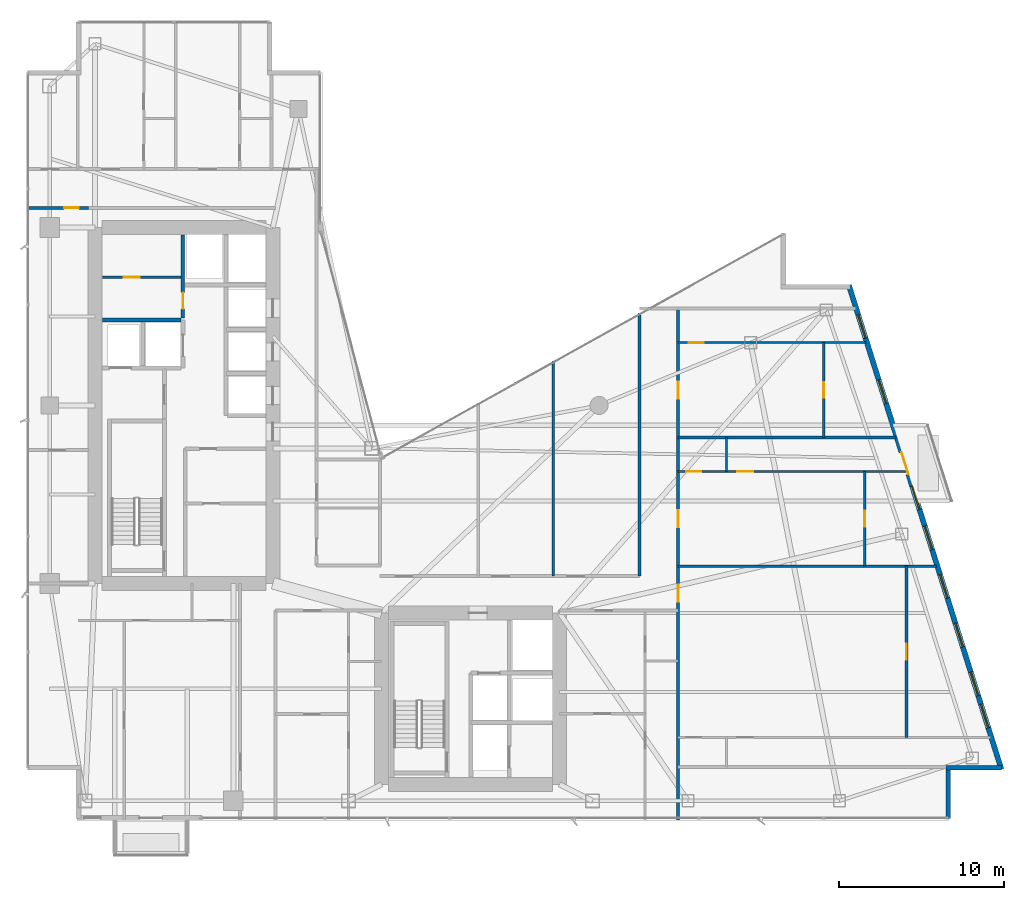
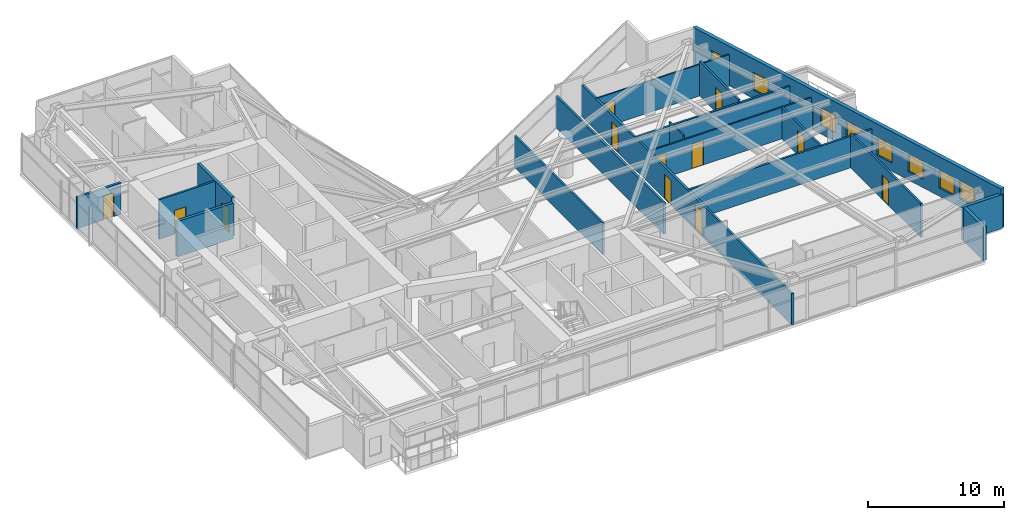
# One storey, part 24 of 28: 18 walls, 13 doors, 8 windows, 21 openings.
"""IFC4 building model written with IfcOpenShell, lengths in metres."""

from ifc_helpers import new_model, si_unit, direction, frame, frame_2d, origin, place, context, subcontext, project, spatial, rectangle, extrude, material, layer, layer_set, type_object, element, fill, save


model = new_model("IFC4")

# Units and contexts
model_context = context("Model", 3, precision=1e-05, world=origin(), true_north=direction((0.0, 1.0)))
body_context = subcontext(model_context, "Body", "Model", "MODEL_VIEW")
ifc_project = project(units=[si_unit("LENGTHUNIT", "METRE"), si_unit("AREAUNIT", "SQUARE_METRE"), si_unit("VOLUMEUNIT", "CUBIC_METRE"), si_unit("PLANEANGLEUNIT", "RADIAN"), si_unit("MASSUNIT", "GRAM", prefix="KILO")], contexts=[model_context])

# Site, building, storey
site_placement = place(None, origin())
site = spatial("IfcSite", under=ifc_project, at=site_placement, CompositionType="ELEMENT")
building_placement = place(site_placement, origin())
building = spatial("IfcBuilding", under=site, at=building_placement, Name="Calvorn Quay Hotel", CompositionType="ELEMENT")
storey_placement = place(building_placement, frame((0.0, 0.0, 112.60009765625)))
storey = spatial("IfcBuildingStorey", under=building, at=storey_placement, Name="L27", CompositionType="ELEMENT", Elevation=112.60009765625)

# Wall, opening, door
ifc_material_1 = material(Name="Acoustic Fireboard Steel-Stud Partition", Category="steel")
ifc_layer_1 = layer(ifc_material_1, 0.179931640625)
ifc_layer_set_1 = layer_set([ifc_layer_1], Name="WL-CORR-FIRE-180")
wall_type_1 = type_object("IfcWallType", Name="WL-CORR-FIRE-180", PredefinedType="PARTITIONING", material=ifc_layer_set_1)
wall_1_placement = place(storey_placement, frame((0.080078125, 39.60009765625, 0.0), z_axis=(0.0, 0.0, 1.0), x_axis=(1.0, 0.0, 0.0)))
wall_1 = element("IfcWall", 1, at=wall_1_placement, inside=storey, type_object=wall_type_1, Name="Partition Wall L27-WL-WBAY-N-DOOR", PredefinedType="PARTITIONING", context=body_context, shape_type="SweptSolid", body=[
    extrude(rectangle(XDim=3.724853515625, YDim=0.179931640625, at=frame_2d((1.8623046875, 0.0))), origin(), (0.0, 0.0, 1.0), 2.83984375),
])
opening_1_placement = place(wall_1_placement, frame((2.25, 0.0, 0.0)))
opening_1 = element("IfcOpeningElement", 2, at=opening_1_placement, cuts=wall_1, Name="Opening D-L27-WBN", PredefinedType="OPENING", context=body_context, shape_type="SweptSolid", body=[
    extrude(rectangle(XDim=0.89990234375, YDim=2.14990234375, at=frame_2d((0.449951171875, 1.074951171875))), frame((0.0, 0.099853515625, 0.0), z_axis=(0.0, -1.0, 0.0), x_axis=(1.0, 0.0, 0.0)), (0.0, 0.0, 1.0), 0.199951171875),
])
ifc_material_2 = material(Name="Moisture-Sealed Timber En-Suite Door", Category="wood")
door_type_1 = type_object("IfcDoorType", Name="DR-ENSUITE-900", OperationType="NOTDEFINED", PredefinedType="DOOR", material=ifc_material_2)
door_1_placement = place(opening_1_placement, origin())
door_1 = element("IfcDoor", 3, at=door_1_placement, inside=storey, type_object=door_type_1, Name="West North Bay Door (L27)", OperationType="SINGLE_SWING_LEFT", OverallHeight=2.14990234375, OverallWidth=0.89990234375, PredefinedType="DOOR", context=body_context, shape_type="SweptSolid", body=[
    extrude(rectangle(XDim=0.89990234375, YDim=2.14990234375, at=frame_2d((0.449951171875, 1.074951171875))), frame((0.0, 0.02490234375, 0.0), z_axis=(0.0, -1.0, 0.0), x_axis=(1.0, 0.0, 0.0)), (0.0, 0.0, 1.0), 0.050048828125),
])
fill(opening_1, door_1)

# Wall
wall_2_placement = place(storey_placement, frame((37.25, 17.25, 0.0), z_axis=(0.0, 0.0, 1.0), x_axis=(0.0, 1.0, 0.0)))
element("IfcWall", 4, at=wall_2_placement, inside=storey, type_object=wall_type_1, Name="Partition Wall L27-WL-NE-END-E", PredefinedType="PARTITIONING", context=body_context, shape_type="SweptSolid", body=[
    extrude(rectangle(XDim=15.949951171875, YDim=0.179931640625, at=frame_2d((7.97509765625, 0.0))), origin(), (0.0, 0.0, 1.0), 2.83984375),
])

# Wall, openings, doors
wall_3_placement = place(storey_placement, frame((39.60009765625, 2.43994140625, 0.0), z_axis=(0.0, 0.0, 1.0), x_axis=(0.0, 1.0, 0.0)))
wall_3 = element("IfcWall", 5, at=wall_3_placement, inside=storey, type_object=wall_type_1, Name="Partition Wall L27-WL-CORR-TIP-E", PredefinedType="PARTITIONING", context=body_context, shape_type="SweptSolid", body=[
    extrude(rectangle(XDim=31.0400390625, YDim=0.179931640625, at=frame_2d((15.52001953125, 0.0))), origin(), (0.0, 0.0, 1.0), 2.83984375),
])
opening_2_placement = place(wall_3_placement, frame((13.260009765625, 0.0, 0.0)))
opening_2 = element("IfcOpeningElement", 6, at=opening_2_placement, cuts=wall_3, Name="Opening D-L27-U06", PredefinedType="OPENING", context=body_context, shape_type="SweptSolid", body=[
    extrude(rectangle(XDim=1.02001953125, YDim=2.199951171875, at=frame_2d((0.510009765625, 1.10009765625))), frame((0.0, 0.099853515625, 0.0), z_axis=(0.0, -1.0, 0.0), x_axis=(1.0, 0.0, 0.0)), (0.0, 0.0, 1.0), 0.199951171875),
])
opening_3_placement = place(wall_3_placement, frame((17.77001953125, 0.0, 0.0)))
opening_3 = element("IfcOpeningElement", 7, at=opening_3_placement, cuts=wall_3, Name="Opening D-L27-U07", PredefinedType="OPENING", context=body_context, shape_type="SweptSolid", body=[
    extrude(rectangle(XDim=1.02001953125, YDim=2.199951171875, at=frame_2d((0.510009765625, 1.10009765625))), frame((0.0, 0.099853515625, 0.0), z_axis=(0.0, -1.0, 0.0), x_axis=(1.0, 0.0, 0.0)), (0.0, 0.0, 1.0), 0.199951171875),
])
opening_4_placement = place(wall_3_placement, frame((25.580078125, 0.0, 0.0)))
opening_4 = element("IfcOpeningElement", 8, at=opening_4_placement, cuts=wall_3, Name="Opening D-L27-U08", PredefinedType="OPENING", context=body_context, shape_type="SweptSolid", body=[
    extrude(rectangle(XDim=1.02001953125, YDim=2.199951171875, at=frame_2d((0.510009765625, 1.10009765625))), frame((0.0, 0.099853515625, 0.0), z_axis=(0.0, -1.0, 0.0), x_axis=(1.0, 0.0, 0.0)), (0.0, 0.0, 1.0), 0.199951171875),
])
ifc_material_3 = material(Name="Solid-Core Walnut Veneer Hotel Fire Door")
door_type_2 = type_object("IfcDoorType", Name="DR-GUEST-ENTRY-1020", OperationType="NOTDEFINED", PredefinedType="DOOR", material=ifc_material_3)
door_2_placement = place(opening_2_placement, origin())
door_2 = element("IfcDoor", 9, at=door_2_placement, inside=storey, type_object=door_type_2, Name="Terrace Suite Door U06 (L27)", OperationType="SINGLE_SWING_LEFT", OverallHeight=2.199951171875, OverallWidth=1.02001953125, PredefinedType="DOOR", context=body_context, shape_type="SweptSolid", body=[
    extrude(rectangle(XDim=1.02001953125, YDim=2.199951171875, at=frame_2d((0.510009765625, 1.10009765625))), frame((0.0, 0.02490234375, 0.0), z_axis=(0.0, -1.0, 0.0), x_axis=(1.0, 0.0, 0.0)), (0.0, 0.0, 1.0), 0.050048828125),
])
fill(opening_2, door_2)
door_3_placement = place(opening_3_placement, origin())
door_3 = element("IfcDoor", 10, at=door_3_placement, inside=storey, type_object=door_type_2, Name="Mid-East Suite Door U07 (L27)", OperationType="SINGLE_SWING_RIGHT", OverallHeight=2.199951171875, OverallWidth=1.02001953125, PredefinedType="DOOR", context=body_context, shape_type="SweptSolid", body=[
    extrude(rectangle(XDim=1.02001953125, YDim=2.199951171875, at=frame_2d((0.510009765625, 1.10009765625))), frame((0.0, 0.02490234375, 0.0), z_axis=(0.0, -1.0, 0.0), x_axis=(1.0, 0.0, 0.0)), (0.0, 0.0, 1.0), 0.050048828125),
])
fill(opening_3, door_3)
door_4_placement = place(opening_4_placement, origin())
door_4 = element("IfcDoor", 11, at=door_4_placement, inside=storey, type_object=door_type_2, Name="Horizon Suite Door U08 (L27)", OperationType="SINGLE_SWING_LEFT", OverallHeight=2.199951171875, OverallWidth=1.02001953125, PredefinedType="DOOR", context=body_context, shape_type="SweptSolid", body=[
    extrude(rectangle(XDim=1.02001953125, YDim=2.199951171875, at=frame_2d((0.510009765625, 1.10009765625))), frame((0.0, 0.02490234375, 0.0), z_axis=(0.0, -1.0, 0.0), x_axis=(1.0, 0.0, 0.0)), (0.0, 0.0, 1.0), 0.050048828125),
])
fill(opening_4, door_4)

# Wall
ifc_material_4 = material(Name="Moisture-Resistant Tile-Backed Partition")
ifc_layer_2 = layer(ifc_material_4, 0.125)
ifc_layer_set_2 = layer_set([ifc_layer_2], Name="WL-ENSUITE-125")
wall_type_2 = type_object("IfcWallType", Name="WL-ENSUITE-125", PredefinedType="PARTITIONING", material=ifc_layer_set_2)
wall_4_placement = place(storey_placement, frame((42.550048828125, 23.590087890625, 0.0), z_axis=(0.0, 0.0, 1.0), x_axis=(0.0, 1.0, 0.0)))
element("IfcWall", 12, at=wall_4_placement, inside=storey, type_object=wall_type_2, Name="Partition Wall L27-WL-U07-BDV", PredefinedType="PARTITIONING", context=body_context, shape_type="SweptSolid", body=[
    extrude(rectangle(XDim=2.06982421875, YDim=0.125, at=frame_2d((1.034912109375, 0.0))), origin(), (0.0, 0.0, 1.0), 3.18994140625),
])

# Wall, openings, doors
wall_5_placement = place(storey_placement, frame((39.60009765625, 23.590087890625, 0.0), z_axis=(0.0, 0.0, 1.0), x_axis=(1.0, 0.0, 0.0)))
wall_5 = element("IfcWall", 13, at=wall_5_placement, inside=storey, type_object=wall_type_2, Name="Partition Wall L27-WL-U07-BH", PredefinedType="PARTITIONING", context=body_context, shape_type="SweptSolid", body=[
    extrude(rectangle(XDim=13.869873046875, YDim=0.125, at=frame_2d((6.93505859375, 0.0))), origin(), (0.0, 0.0, 1.0), 2.83984375),
])
opening_5_placement = place(wall_5_placement, frame((0.5, 0.0, 0.0)))
opening_5 = element("IfcOpeningElement", 14, at=opening_5_placement, cuts=wall_5, Name="Opening D-L27-E07", PredefinedType="OPENING", context=body_context, shape_type="SweptSolid", body=[
    extrude(rectangle(XDim=0.89990234375, YDim=2.14990234375, at=frame_2d((0.449951171875, 1.074951171875))), frame((0.0, 0.072509765625, 0.0), z_axis=(0.0, -1.0, 0.0), x_axis=(1.0, 0.0, 0.0)), (0.0, 0.0, 1.0), 0.14501953125),
])
opening_6_placement = place(wall_5_placement, frame((3.60009765625, 0.0, 0.0)))
opening_6 = element("IfcOpeningElement", 15, at=opening_6_placement, cuts=wall_5, Name="Opening D-L27-S07", PredefinedType="OPENING", context=body_context, shape_type="SweptSolid", body=[
    extrude(rectangle(XDim=0.9599609375, YDim=2.199951171875, at=frame_2d((0.47998046875, 1.10009765625))), frame((0.0, 0.072509765625, 0.0), z_axis=(0.0, -1.0, 0.0), x_axis=(1.0, 0.0, 0.0)), (0.0, 0.0, 1.0), 0.14501953125),
])
door_5_placement = place(opening_5_placement, origin())
door_5 = element("IfcDoor", 16, at=door_5_placement, inside=storey, type_object=door_type_1, Name="En-Suite Door 07", OperationType="SINGLE_SWING_LEFT", OverallHeight=2.14990234375, OverallWidth=0.89990234375, PredefinedType="DOOR", context=body_context, shape_type="SweptSolid", body=[
    extrude(rectangle(XDim=0.89990234375, YDim=2.14990234375, at=frame_2d((0.449951171875, 1.074951171875))), frame((0.0, 0.02490234375, 0.0), z_axis=(0.0, -1.0, 0.0), x_axis=(1.0, 0.0, 0.0)), (0.0, 0.0, 1.0), 0.050048828125),
])
fill(opening_5, door_5)
ifc_material_5 = material(Name="Solid Timber Internal Suite Door", Category="wood")
door_type_3 = type_object("IfcDoorType", Name="DR-SUITE-INT-960", OperationType="NOTDEFINED", PredefinedType="DOOR", material=ifc_material_5)
door_6_placement = place(opening_6_placement, origin())
door_6 = element("IfcDoor", 17, at=door_6_placement, inside=storey, type_object=door_type_3, Name="Executive Study Door 07", OperationType="SINGLE_SWING_RIGHT", OverallHeight=2.199951171875, OverallWidth=0.9599609375, PredefinedType="DOOR", context=body_context, shape_type="SweptSolid", body=[
    extrude(rectangle(XDim=0.9599609375, YDim=2.199951171875, at=frame_2d((0.47998046875, 1.10009765625))), frame((0.0, 0.02490234375, 0.0), z_axis=(0.0, -1.0, 0.0), x_axis=(1.0, 0.0, 0.0)), (0.0, 0.0, 1.0), 0.050048828125),
])
fill(opening_6, door_6)

# Wall, opening, door
wall_6_placement = place(storey_placement, frame((39.60009765625, 31.409912109375, 0.0), z_axis=(0.0, 0.0, 1.0), x_axis=(1.0, 0.0, 0.0)))
wall_6 = element("IfcWall", 18, at=wall_6_placement, inside=storey, type_object=wall_type_2, Name="Partition Wall L27-WL-U08-BH", PredefinedType="PARTITIONING", context=body_context, shape_type="SweptSolid", body=[
    extrude(rectangle(XDim=11.409912109375, YDim=0.125, at=frame_2d((5.705078125, 0.0))), origin(), (0.0, 0.0, 1.0), 2.83984375),
])
opening_7_placement = place(wall_6_placement, frame((0.64990234375, 0.0, 0.0)))
opening_7 = element("IfcOpeningElement", 19, at=opening_7_placement, cuts=wall_6, Name="Opening D-L27-E08", PredefinedType="OPENING", context=body_context, shape_type="SweptSolid", body=[
    extrude(rectangle(XDim=0.89990234375, YDim=2.14990234375, at=frame_2d((0.449951171875, 1.074951171875))), frame((0.0, 0.072509765625, 0.0), z_axis=(0.0, -1.0, 0.0), x_axis=(1.0, 0.0, 0.0)), (0.0, 0.0, 1.0), 0.14501953125),
])
door_7_placement = place(opening_7_placement, origin())
door_7 = element("IfcDoor", 20, at=door_7_placement, inside=storey, type_object=door_type_1, Name="En-Suite Door 08", OperationType="SINGLE_SWING_LEFT", OverallHeight=2.14990234375, OverallWidth=0.89990234375, PredefinedType="DOOR", context=body_context, shape_type="SweptSolid", body=[
    extrude(rectangle(XDim=0.89990234375, YDim=2.14990234375, at=frame_2d((0.449951171875, 1.074951171875))), frame((0.0, 0.02490234375, 0.0), z_axis=(0.0, -1.0, 0.0), x_axis=(1.0, 0.0, 0.0)), (0.0, 0.0, 1.0), 0.050048828125),
])
fill(opening_7, door_7)

# Walls
ifc_material_6 = material(Name="Concrete C40", Category="concrete")
ifc_layer_3 = layer(ifc_material_6, 0.320068359375)
ifc_layer_set_3 = layer_set([ifc_layer_3], Name="WL-EXT-SPANDREL-320")
wall_type_3 = type_object("IfcWallType", Name="WL-EXT-SPANDREL-320", PredefinedType="SOLIDWALL", material=ifc_layer_set_3)
wall_7_placement = place(storey_placement, frame((56.0, 2.52001953125, 0.0), z_axis=(0.0, 0.0, 1.0), x_axis=(0.0, 1.0, 0.0)))
element("IfcWall", 21, at=wall_7_placement, inside=storey, type_object=wall_type_3, Name="Notched Corner Spandrel L27-SE1", PredefinedType="SOLIDWALL", context=body_context, shape_type="SweptSolid", body=[
    extrude(rectangle(XDim=2.93994140625, YDim=0.280029296875, at=frame_2d((1.469970703125, 0.0))), origin(), (0.0, 0.0, 1.0), 3.039794921875),
])
wall_8_placement = place(storey_placement, frame((55.860107421875, 5.60009765625, 0.0), z_axis=(0.0, 0.0, 1.0), x_axis=(1.0, 0.0, 0.0)))
element("IfcWall", 22, at=wall_8_placement, inside=storey, type_object=wall_type_3, Name="Notched Corner Spandrel L27-SE2", PredefinedType="SOLIDWALL", context=body_context, shape_type="SweptSolid", body=[
    extrude(rectangle(XDim=3.3798828125, YDim=0.280029296875, at=frame_2d((1.68994140625, 0.0))), origin(), (0.0, 0.0, 1.0), 3.039794921875),
])

# Wall, openings, door, windows
wall_9_placement = place(storey_placement, frame((59.22998046875, 5.5048828125, 0.0), z_axis=(0.0, 0.0, 1.0), x_axis=(-0.300509063924, 0.953778958931, 0.0)))
wall_9 = element("IfcWall", 23, at=wall_9_placement, inside=storey, type_object=wall_type_3, Name="East Stepped Waterfront Exterior Wall (L27)", PredefinedType="SOLIDWALL", context=body_context, shape_type="SweptSolid", body=[
    extrude(rectangle(XDim=30.814453125, YDim=0.320068359375, at=frame_2d((15.4072265625, 0.0))), origin(), (0.0, 0.0, 1.0), 3.559814453125),
])
opening_8_placement = place(wall_9_placement, frame((18.7958984375, 0.0, 0.0)))
opening_8 = element("IfcOpeningElement", 24, at=opening_8_placement, cuts=wall_9, Name="Opening DB-L27-1", PredefinedType="OPENING", context=body_context, shape_type="SweptSolid", body=[
    extrude(rectangle(XDim=1.39990234375, YDim=2.25, at=frame_2d((0.699951171875, 1.125))), frame((0.0, 0.169921875, 0.0), z_axis=(0.0, -1.0, 0.0), x_axis=(1.0, 0.0, 0.0)), (0.0, 0.0, 1.0), 0.340087890625),
])
opening_9_placement = place(wall_9_placement, frame((2.64990234375, 0.0, 0.75)))
opening_9 = element("IfcOpeningElement", 25, at=opening_9_placement, cuts=wall_9, Name="Opening WG-L27-E1", PredefinedType="OPENING", context=body_context, shape_type="SweptSolid", body=[
    extrude(rectangle(XDim=1.5, YDim=1.60009765625, at=frame_2d((0.75, 0.800048828125))), frame((0.0, 0.169921875, 0.0), z_axis=(0.0, -1.0, 0.0), x_axis=(1.0, 0.0, 0.0)), (0.0, 0.0, 1.0), 0.340087890625),
])
opening_10_placement = place(wall_9_placement, frame((4.699951171875, 0.0, 0.75)))
opening_10 = element("IfcOpeningElement", 26, at=opening_10_placement, cuts=wall_9, Name="Opening WG-L27-E2", PredefinedType="OPENING", context=body_context, shape_type="SweptSolid", body=[
    extrude(rectangle(XDim=1.5, YDim=1.60009765625, at=frame_2d((0.75, 0.800048828125))), frame((0.0, 0.169921875, 0.0), z_axis=(0.0, -1.0, 0.0), x_axis=(1.0, 0.0, 0.0)), (0.0, 0.0, 1.0), 0.340087890625),
])
opening_11_placement = place(wall_9_placement, frame((7.800048828125, 0.0, 0.75)))
opening_11 = element("IfcOpeningElement", 27, at=opening_11_placement, cuts=wall_9, Name="Opening WG-L27-E3", PredefinedType="OPENING", context=body_context, shape_type="SweptSolid", body=[
    extrude(rectangle(XDim=1.5, YDim=1.60009765625, at=frame_2d((0.75, 0.800048828125))), frame((0.0, 0.169921875, 0.0), z_axis=(0.0, -1.0, 0.0), x_axis=(1.0, 0.0, 0.0)), (0.0, 0.0, 1.0), 0.340087890625),
])
opening_12_placement = place(wall_9_placement, frame((10.89990234375, 0.0, 0.75)))
opening_12 = element("IfcOpeningElement", 28, at=opening_12_placement, cuts=wall_9, Name="Opening WG-L27-E4", PredefinedType="OPENING", context=body_context, shape_type="SweptSolid", body=[
    extrude(rectangle(XDim=1.5, YDim=1.60009765625, at=frame_2d((0.75, 0.800048828125))), frame((0.0, 0.169921875, 0.0), z_axis=(0.0, -1.0, 0.0), x_axis=(1.0, 0.0, 0.0)), (0.0, 0.0, 1.0), 0.340087890625),
])
opening_13_placement = place(wall_9_placement, frame((14.0, 0.0, 0.75)))
opening_13 = element("IfcOpeningElement", 29, at=opening_13_placement, cuts=wall_9, Name="Opening WG-L27-E5", PredefinedType="OPENING", context=body_context, shape_type="SweptSolid", body=[
    extrude(rectangle(XDim=1.5, YDim=1.60009765625, at=frame_2d((0.75, 0.800048828125))), frame((0.0, 0.169921875, 0.0), z_axis=(0.0, -1.0, 0.0), x_axis=(1.0, 0.0, 0.0)), (0.0, 0.0, 1.0), 0.340087890625),
])
opening_14_placement = place(wall_9_placement, frame((16.550048828125, 0.0, 0.75)))
opening_14 = element("IfcOpeningElement", 30, at=opening_14_placement, cuts=wall_9, Name="Opening WG-L27-E6", PredefinedType="OPENING", context=body_context, shape_type="SweptSolid", body=[
    extrude(rectangle(XDim=1.5, YDim=1.60009765625, at=frame_2d((0.75, 0.800048828125))), frame((0.0, 0.169921875, 0.0), z_axis=(0.0, -1.0, 0.0), x_axis=(1.0, 0.0, 0.0)), (0.0, 0.0, 1.0), 0.340087890625),
])
opening_15_placement = place(wall_9_placement, frame((23.300048828125, 0.0, 0.75)))
opening_15 = element("IfcOpeningElement", 31, at=opening_15_placement, cuts=wall_9, Name="Opening WG-L27-E7", PredefinedType="OPENING", context=body_context, shape_type="SweptSolid", body=[
    extrude(rectangle(XDim=1.5, YDim=1.60009765625, at=frame_2d((0.75, 0.800048828125))), frame((0.0, 0.169921875, 0.0), z_axis=(0.0, -1.0, 0.0), x_axis=(1.0, 0.0, 0.0)), (0.0, 0.0, 1.0), 0.340087890625),
])
opening_16_placement = place(wall_9_placement, frame((27.449951171875, 0.0, 0.75)))
opening_16 = element("IfcOpeningElement", 32, at=opening_16_placement, cuts=wall_9, Name="Opening WG-L27-E8", PredefinedType="OPENING", context=body_context, shape_type="SweptSolid", body=[
    extrude(rectangle(XDim=1.5, YDim=1.60009765625, at=frame_2d((0.75, 0.800048828125))), frame((0.0, 0.169921875, 0.0), z_axis=(0.0, -1.0, 0.0), x_axis=(1.0, 0.0, 0.0)), (0.0, 0.0, 1.0), 0.340087890625),
])
ifc_material_7 = material(Name="Typhoon-Rated Low-E Aluminium Terrace Door", Category="aluminium")
door_type_4 = type_object("IfcDoorType", Name="DR-BALCONY-GLZ-1400", OperationType="NOTDEFINED", PredefinedType="DOOR", material=ifc_material_7)
door_8_placement = place(opening_8_placement, origin())
door_8 = element("IfcDoor", 33, at=door_8_placement, inside=storey, type_object=door_type_4, Name="Tree Balcony Terrace Door L27-BALC-E", OperationType="SINGLE_SWING_LEFT", OverallHeight=2.25, OverallWidth=1.39990234375, PredefinedType="DOOR", context=body_context, shape_type="SweptSolid", body=[
    extrude(rectangle(XDim=1.39990234375, YDim=2.25, at=frame_2d((0.699951171875, 1.125))), frame((0.0, 0.02490234375, 0.0), z_axis=(0.0, -1.0, 0.0), x_axis=(1.0, 0.0, 0.0)), (0.0, 0.0, 1.0), 0.050048828125),
])
fill(opening_8, door_8)
ifc_material_8 = material(Name="Self-Closing Class B Fire Window")
window_type = type_object("IfcWindowType", Name="WIN-REFUGE-1500x1600", PartitioningType="SINGLE_PANEL", PredefinedType="WINDOW", material=ifc_material_8)
window_1_placement = place(opening_9_placement, origin())
window_1 = element("IfcWindow", 34, at=window_1_placement, inside=storey, type_object=window_type, Name="East Facade Window L27-E1", OverallHeight=1.60009765625, OverallWidth=1.5, PartitioningType="SINGLE_PANEL", PredefinedType="WINDOW", context=body_context, shape_type="SweptSolid", body=[
    extrude(rectangle(XDim=1.5, YDim=1.60009765625, at=frame_2d((0.75, 0.800048828125))), frame((0.0, 0.030029296875, 0.0), z_axis=(0.0, -1.0, 0.0), x_axis=(1.0, 0.0, 0.0)), (0.0, 0.0, 1.0), 0.06005859375),
])
fill(opening_9, window_1)
window_2_placement = place(opening_10_placement, origin())
window_2 = element("IfcWindow", 35, at=window_2_placement, inside=storey, type_object=window_type, Name="East Facade Window L27-E2", OverallHeight=1.60009765625, OverallWidth=1.5, PartitioningType="SINGLE_PANEL", PredefinedType="WINDOW", context=body_context, shape_type="SweptSolid", body=[
    extrude(rectangle(XDim=1.5, YDim=1.60009765625, at=frame_2d((0.75, 0.800048828125))), frame((0.0, 0.030029296875, 0.0), z_axis=(0.0, -1.0, 0.0), x_axis=(1.0, 0.0, 0.0)), (0.0, 0.0, 1.0), 0.06005859375),
])
fill(opening_10, window_2)
window_3_placement = place(opening_11_placement, origin())
window_3 = element("IfcWindow", 36, at=window_3_placement, inside=storey, type_object=window_type, Name="East Facade Window L27-E3", OverallHeight=1.60009765625, OverallWidth=1.5, PartitioningType="SINGLE_PANEL", PredefinedType="WINDOW", context=body_context, shape_type="SweptSolid", body=[
    extrude(rectangle(XDim=1.5, YDim=1.60009765625, at=frame_2d((0.75, 0.800048828125))), frame((0.0, 0.030029296875, 0.0), z_axis=(0.0, -1.0, 0.0), x_axis=(1.0, 0.0, 0.0)), (0.0, 0.0, 1.0), 0.06005859375),
])
fill(opening_11, window_3)
window_4_placement = place(opening_12_placement, origin())
window_4 = element("IfcWindow", 37, at=window_4_placement, inside=storey, type_object=window_type, Name="East Facade Window L27-E4", OverallHeight=1.60009765625, OverallWidth=1.5, PartitioningType="SINGLE_PANEL", PredefinedType="WINDOW", context=body_context, shape_type="SweptSolid", body=[
    extrude(rectangle(XDim=1.5, YDim=1.60009765625, at=frame_2d((0.75, 0.800048828125))), frame((0.0, 0.030029296875, 0.0), z_axis=(0.0, -1.0, 0.0), x_axis=(1.0, 0.0, 0.0)), (0.0, 0.0, 1.0), 0.06005859375),
])
fill(opening_12, window_4)
window_5_placement = place(opening_13_placement, origin())
window_5 = element("IfcWindow", 38, at=window_5_placement, inside=storey, type_object=window_type, Name="East Facade Window L27-E5", OverallHeight=1.60009765625, OverallWidth=1.5, PartitioningType="SINGLE_PANEL", PredefinedType="WINDOW", context=body_context, shape_type="SweptSolid", body=[
    extrude(rectangle(XDim=1.5, YDim=1.60009765625, at=frame_2d((0.75, 0.800048828125))), frame((0.0, 0.030029296875, 0.0), z_axis=(0.0, -1.0, 0.0), x_axis=(1.0, 0.0, 0.0)), (0.0, 0.0, 1.0), 0.06005859375),
])
fill(opening_13, window_5)
window_6_placement = place(opening_14_placement, origin())
window_6 = element("IfcWindow", 39, at=window_6_placement, inside=storey, type_object=window_type, Name="East Facade Window L27-E6", OverallHeight=1.60009765625, OverallWidth=1.5, PartitioningType="SINGLE_PANEL", PredefinedType="WINDOW", context=body_context, shape_type="SweptSolid", body=[
    extrude(rectangle(XDim=1.5, YDim=1.60009765625, at=frame_2d((0.75, 0.800048828125))), frame((0.0, 0.030029296875, 0.0), z_axis=(0.0, -1.0, 0.0), x_axis=(1.0, 0.0, 0.0)), (0.0, 0.0, 1.0), 0.06005859375),
])
fill(opening_14, window_6)
window_7_placement = place(opening_15_placement, origin())
window_7 = element("IfcWindow", 40, at=window_7_placement, inside=storey, type_object=window_type, Name="East Facade Window L27-E7", OverallHeight=1.60009765625, OverallWidth=1.5, PartitioningType="SINGLE_PANEL", PredefinedType="WINDOW", context=body_context, shape_type="SweptSolid", body=[
    extrude(rectangle(XDim=1.5, YDim=1.60009765625, at=frame_2d((0.75, 0.800048828125))), frame((0.0, 0.030029296875, 0.0), z_axis=(0.0, -1.0, 0.0), x_axis=(1.0, 0.0, 0.0)), (0.0, 0.0, 1.0), 0.06005859375),
])
fill(opening_15, window_7)
window_8_placement = place(opening_16_placement, origin())
window_8 = element("IfcWindow", 41, at=window_8_placement, inside=storey, type_object=window_type, Name="East Facade Window L27-E8", OverallHeight=1.60009765625, OverallWidth=1.5, PartitioningType="SINGLE_PANEL", PredefinedType="WINDOW", context=body_context, shape_type="SweptSolid", body=[
    extrude(rectangle(XDim=1.5, YDim=1.60009765625, at=frame_2d((0.75, 0.800048828125))), frame((0.0, 0.030029296875, 0.0), z_axis=(0.0, -1.0, 0.0), x_axis=(1.0, 0.0, 0.0)), (0.0, 0.0, 1.0), 0.06005859375),
])
fill(opening_16, window_8)

# Wall, opening, door
ifc_material_9 = material(Name="Double-Stud Acoustic Gypsum Partition")
ifc_layer_4 = layer(ifc_material_9, 0.159912109375)
ifc_layer_set_4 = layer_set([ifc_layer_4], Name="WL-INTERSUITE-160")
wall_type_4 = type_object("IfcWallType", Name="WL-INTERSUITE-160", PredefinedType="PARTITIONING", material=ifc_layer_set_4)
wall_10_placement = place(storey_placement, frame((4.64501953125, 35.3798828125, 0.0), z_axis=(0.0, 0.0, 1.0), x_axis=(1.0, 0.0, 0.0)))
wall_10 = element("IfcWall", 42, at=wall_10_placement, inside=storey, type_object=wall_type_4, Name="Partition Wall L27-WL-CWW-K-MID", PredefinedType="PARTITIONING", context=body_context, shape_type="SweptSolid", body=[
    extrude(rectangle(XDim=4.77490234375, YDim=0.159912109375, at=frame_2d((2.387451171875, 0.0))), origin(), (0.0, 0.0, 1.0), 3.559814453125),
])
opening_17_placement = place(wall_10_placement, frame((1.300048828125, 0.0, 0.0)))
opening_17 = element("IfcOpeningElement", 43, at=opening_17_placement, cuts=wall_10, Name="Opening D-L27-CK2", PredefinedType="OPENING", context=body_context, shape_type="SweptSolid", body=[
    extrude(rectangle(XDim=0.97998046875, YDim=2.14990234375, at=frame_2d((0.489990234375, 1.074951171875))), frame((0.0, 0.08984375, 0.0), z_axis=(0.0, -1.0, 0.0), x_axis=(1.0, 0.0, 0.0)), (0.0, 0.0, 1.0), 0.179931640625),
])
ifc_material_10 = material(Name="Painted Steel Housekeeping/Riser Fire Door", Category="steel")
door_type_5 = type_object("IfcDoorType", Name="DR-SERVICE-980", OperationType="NOTDEFINED", PredefinedType="DOOR", material=ifc_material_10)
door_9_placement = place(opening_17_placement, origin())
door_9 = element("IfcDoor", 44, at=door_9_placement, inside=storey, type_object=door_type_5, Name="Electrical Riser Door (L27)", OperationType="SINGLE_SWING_RIGHT", OverallHeight=2.14990234375, OverallWidth=0.97998046875, PredefinedType="DOOR", context=body_context, shape_type="SweptSolid", body=[
    extrude(rectangle(XDim=0.97998046875, YDim=2.14990234375, at=frame_2d((0.489990234375, 1.074951171875))), frame((0.0, 0.02490234375, 0.0), z_axis=(0.0, -1.0, 0.0), x_axis=(1.0, 0.0, 0.0)), (0.0, 0.0, 1.0), 0.050048828125),
])
fill(opening_17, door_9)

# Wall
wall_11_placement = place(storey_placement, frame((32.030029296875, 17.25, 0.0), z_axis=(0.0, 0.0, 1.0), x_axis=(0.0, 1.0, 0.0)))
element("IfcWall", 45, at=wall_11_placement, inside=storey, type_object=wall_type_4, Name="Partition Wall L27-WL-NE-DIV-2", PredefinedType="PARTITIONING", context=body_context, shape_type="SweptSolid", body=[
    extrude(rectangle(XDim=13.0400390625, YDim=0.159912109375, at=frame_2d((6.52001953125, 0.0))), origin(), (0.0, 0.0, 1.0), 2.83984375),
])

# Wall, opening, door
wall_12_placement = place(storey_placement, frame((53.4599609375, 7.449951171875, 0.0), z_axis=(0.0, 0.0, 1.0), x_axis=(0.0, 1.0, 0.0)))
wall_12 = element("IfcWall", 46, at=wall_12_placement, inside=storey, type_object=wall_type_4, Name="Partition Wall L27-WL-U06-MSP", PredefinedType="PARTITIONING", context=body_context, shape_type="SweptSolid", body=[
    extrude(rectangle(XDim=10.400146484375, YDim=0.159912109375, at=frame_2d((5.2001953125, 0.0))), origin(), (0.0, 0.0, 1.0), 3.039794921875),
])
opening_18_placement = place(wall_12_placement, frame((4.719970703125, 0.0, 0.0)))
opening_18 = element("IfcOpeningElement", 47, at=opening_18_placement, cuts=wall_12, Name="Opening D-L27-M06", PredefinedType="OPENING", context=body_context, shape_type="SweptSolid", body=[
    extrude(rectangle(XDim=0.9599609375, YDim=2.199951171875, at=frame_2d((0.47998046875, 1.10009765625))), frame((0.0, 0.08984375, 0.0), z_axis=(0.0, -1.0, 0.0), x_axis=(1.0, 0.0, 0.0)), (0.0, 0.0, 1.0), 0.179931640625),
])
door_10_placement = place(opening_18_placement, origin())
door_10 = element("IfcDoor", 48, at=door_10_placement, inside=storey, type_object=door_type_3, Name="Suite Bedroom Door 06", OperationType="SINGLE_SWING_LEFT", OverallHeight=2.199951171875, OverallWidth=0.9599609375, PredefinedType="DOOR", context=body_context, shape_type="SweptSolid", body=[
    extrude(rectangle(XDim=0.9599609375, YDim=2.199951171875, at=frame_2d((0.47998046875, 1.10009765625))), frame((0.0, 0.02490234375, 0.0), z_axis=(0.0, -1.0, 0.0), x_axis=(1.0, 0.0, 0.0)), (0.0, 0.0, 1.0), 0.050048828125),
])
fill(opening_18, door_10)

wall_13_placement = place(storey_placement, frame((50.919921875, 17.85009765625, 0.0), z_axis=(0.0, 0.0, 1.0), x_axis=(0.0, 1.0, 0.0)))
wall_13 = element("IfcWall", 49, at=wall_13_placement, inside=storey, type_object=wall_type_4, Name="Partition Wall L27-WL-U07-MSP", PredefinedType="PARTITIONING", context=body_context, shape_type="SweptSolid", body=[
    extrude(rectangle(XDim=5.739990234375, YDim=0.159912109375, at=frame_2d((2.8701171875, 0.0))), origin(), (0.0, 0.0, 1.0), 2.83984375),
])
opening_19_placement = place(wall_13_placement, frame((2.389892578125, 0.0, 0.0)))
opening_19 = element("IfcOpeningElement", 50, at=opening_19_placement, cuts=wall_13, Name="Opening D-L27-M07", PredefinedType="OPENING", context=body_context, shape_type="SweptSolid", body=[
    extrude(rectangle(XDim=0.9599609375, YDim=2.199951171875, at=frame_2d((0.47998046875, 1.10009765625))), frame((0.0, 0.08984375, 0.0), z_axis=(0.0, -1.0, 0.0), x_axis=(1.0, 0.0, 0.0)), (0.0, 0.0, 1.0), 0.179931640625),
])
door_11_placement = place(opening_19_placement, origin())
door_11 = element("IfcDoor", 51, at=door_11_placement, inside=storey, type_object=door_type_3, Name="Suite Bedroom Door 07", OperationType="SINGLE_SWING_LEFT", OverallHeight=2.199951171875, OverallWidth=0.9599609375, PredefinedType="DOOR", context=body_context, shape_type="SweptSolid", body=[
    extrude(rectangle(XDim=0.9599609375, YDim=2.199951171875, at=frame_2d((0.47998046875, 1.10009765625))), frame((0.0, 0.02490234375, 0.0), z_axis=(0.0, -1.0, 0.0), x_axis=(1.0, 0.0, 0.0)), (0.0, 0.0, 1.0), 0.050048828125),
])
fill(opening_19, door_11)

wall_14_placement = place(storey_placement, frame((48.449951171875, 25.659912109375, 0.0), z_axis=(0.0, 0.0, 1.0), x_axis=(0.0, 1.0, 0.0)))
wall_14 = element("IfcWall", 52, at=wall_14_placement, inside=storey, type_object=wall_type_4, Name="Partition Wall L27-WL-U08-MSP", PredefinedType="PARTITIONING", context=body_context, shape_type="SweptSolid", body=[
    extrude(rectangle(XDim=5.75, YDim=0.159912109375, at=frame_2d((2.875, 0.0))), origin(), (0.0, 0.0, 1.0), 3.08984375),
])
opening_20_placement = place(wall_14_placement, frame((2.39990234375, 0.0, 0.0)))
opening_20 = element("IfcOpeningElement", 53, at=opening_20_placement, cuts=wall_14, Name="Opening D-L27-M08", PredefinedType="OPENING", context=body_context, shape_type="SweptSolid", body=[
    extrude(rectangle(XDim=0.9599609375, YDim=2.199951171875, at=frame_2d((0.47998046875, 1.10009765625))), frame((0.0, 0.08984375, 0.0), z_axis=(0.0, -1.0, 0.0), x_axis=(1.0, 0.0, 0.0)), (0.0, 0.0, 1.0), 0.179931640625),
])
door_12_placement = place(opening_20_placement, origin())
door_12 = element("IfcDoor", 54, at=door_12_placement, inside=storey, type_object=door_type_3, Name="Suite Bedroom Door 08", OperationType="SINGLE_SWING_LEFT", OverallHeight=2.199951171875, OverallWidth=0.9599609375, PredefinedType="DOOR", context=body_context, shape_type="SweptSolid", body=[
    extrude(rectangle(XDim=0.9599609375, YDim=2.199951171875, at=frame_2d((0.47998046875, 1.10009765625))), frame((0.0, 0.02490234375, 0.0), z_axis=(0.0, -1.0, 0.0), x_axis=(1.0, 0.0, 0.0)), (0.0, 0.0, 1.0), 0.050048828125),
])
fill(opening_20, door_12)

# Walls
wall_15_placement = place(storey_placement, frame((39.60009765625, 25.659912109375, 0.0), z_axis=(0.0, 0.0, 1.0), x_axis=(1.0, 0.0, 0.0)))
element("IfcWall", 55, at=wall_15_placement, inside=storey, type_object=wall_type_4, Name="Partition Wall L27-WL-TIP-DIV2", PredefinedType="PARTITIONING", context=body_context, shape_type="SweptSolid", body=[
    extrude(rectangle(XDim=13.219970703125, YDim=0.159912109375, at=frame_2d((6.60986328125, 0.0))), origin(), (0.0, 0.0, 1.0), 2.83984375),
])
wall_16_placement = place(storey_placement, frame((39.60009765625, 17.85009765625, 0.0), z_axis=(0.0, 0.0, 1.0), x_axis=(1.0, 0.0, 0.0)))
element("IfcWall", 56, at=wall_16_placement, inside=storey, type_object=wall_type_4, Name="Partition Wall L27-WL-TIP-DIV", PredefinedType="PARTITIONING", context=body_context, shape_type="SweptSolid", body=[
    extrude(rectangle(XDim=15.679931640625, YDim=0.159912109375, at=frame_2d((7.83984375, 0.0))), origin(), (0.0, 0.0, 1.0), 2.83984375),
])

# Wall, opening, door
ifc_material_11 = material(Name="Autoclaved Aerated Masonry Block", Category="masonry")
ifc_layer_5 = layer(ifc_material_11, 0.219970703125)
ifc_layer_set_5 = layer_set([ifc_layer_5], Name="WL-LOBBY-FIRE-220")
wall_type_5 = type_object("IfcWallType", Name="WL-LOBBY-FIRE-220", PredefinedType="SOLIDWALL", material=ifc_layer_set_5)
wall_17_placement = place(storey_placement, frame((9.5400390625, 32.919921875, 0.0), z_axis=(0.0, 0.0, 1.0), x_axis=(0.0, 1.0, 0.0)))
wall_17 = element("IfcWall", 57, at=wall_17_placement, inside=storey, type_object=wall_type_5, Name="Partition Wall L27-WL-CWW-K-E", PredefinedType="SOLIDWALL", context=body_context, shape_type="SweptSolid", body=[
    extrude(rectangle(XDim=5.03515625, YDim=0.219970703125, at=frame_2d((2.517578125, 0.0))), origin(), (0.0, 0.0, 1.0), 3.559814453125),
])
opening_21_placement = place(wall_17_placement, frame((0.550048828125, 0.0, 0.0)))
opening_21 = element("IfcOpeningElement", 58, at=opening_21_placement, cuts=wall_17, Name="Opening D-L27-CK1", PredefinedType="OPENING", context=body_context, shape_type="SweptSolid", body=[
    extrude(rectangle(XDim=0.97998046875, YDim=2.14990234375, at=frame_2d((0.489990234375, 1.074951171875))), frame((0.0, 0.119873046875, 0.0), z_axis=(0.0, -1.0, 0.0), x_axis=(1.0, 0.0, 0.0)), (0.0, 0.0, 1.0), 0.239990234375),
])
door_13_placement = place(opening_21_placement, origin())
door_13 = element("IfcDoor", 59, at=door_13_placement, inside=storey, type_object=door_type_5, Name="Core Housekeeping Door (L27)", OperationType="SINGLE_SWING_LEFT", OverallHeight=2.14990234375, OverallWidth=0.97998046875, PredefinedType="DOOR", context=body_context, shape_type="SweptSolid", body=[
    extrude(rectangle(XDim=0.97998046875, YDim=2.14990234375, at=frame_2d((0.489990234375, 1.074951171875))), frame((0.0, 0.02490234375, 0.0), z_axis=(0.0, -1.0, 0.0), x_axis=(1.0, 0.0, 0.0)), (0.0, 0.0, 1.0), 0.050048828125),
])
fill(opening_21, door_13)

# Wall
ifc_material_12 = material(Name="Concrete C40", Category="concrete")
ifc_layer_6 = layer(ifc_material_12, 0.239990234375)
ifc_layer_set_6 = layer_set([ifc_layer_6], Name="WL-SHAFT-240")
wall_type_6 = type_object("IfcWallType", Name="WL-SHAFT-240", PredefinedType="SOLIDWALL", material=ifc_layer_set_6)
wall_18_placement = place(storey_placement, frame((4.64501953125, 32.780029296875, 0.0), z_axis=(0.0, 0.0, 1.0), x_axis=(1.0, 0.0, 0.0)))
element("IfcWall", 60, at=wall_18_placement, inside=storey, type_object=wall_type_6, Name="Partition Wall L27-WL-CWW-SLW-N", PredefinedType="SOLIDWALL", context=body_context, shape_type="SweptSolid", body=[
    extrude(rectangle(XDim=4.77490234375, YDim=0.239990234375, at=frame_2d((2.387451171875, 0.0))), origin(), (0.0, 0.0, 1.0), 3.18994140625),
])

save(model, "model.ifc")
